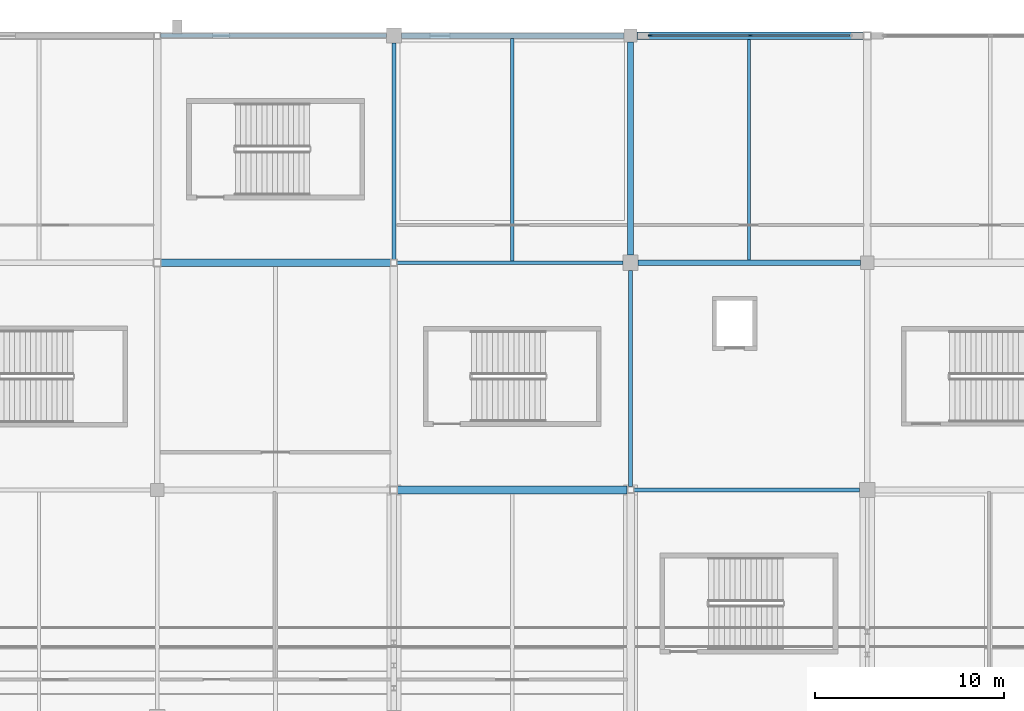
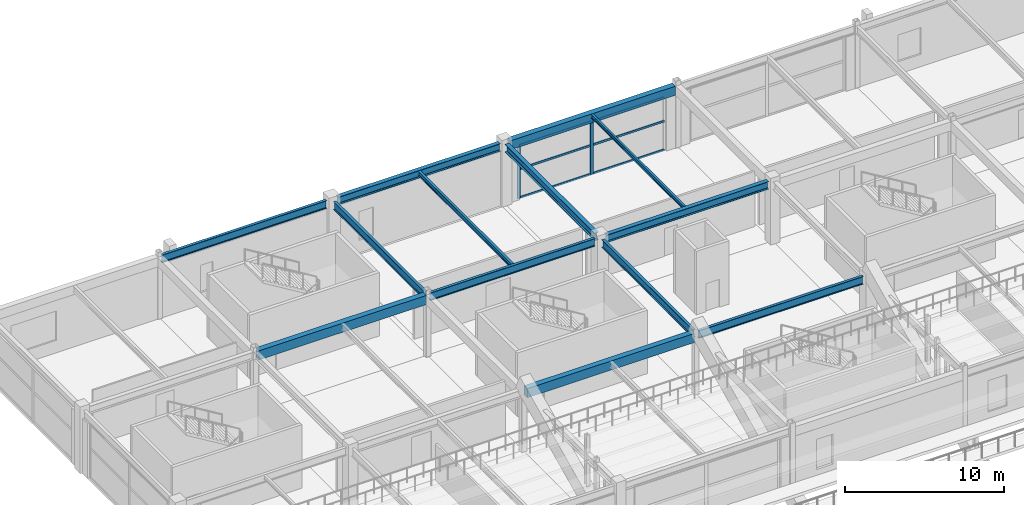
# One storey, part 64 of 128: 13 beams, 8 members, 1 element without a shape of its own.
"""IFC4 building model written with IfcOpenShell, lengths in metres."""

from ifc_helpers import new_model, si_unit, direction, frame, origin, origin_2d, place, context, subcontext, project, spatial, rectangle, i_section, extrude, material, layer, layer_set, material_profile, profile_set, type_object, element, aggregate, save


model = new_model("IFC4")

# Units and contexts
model_context = context("Model", 3, precision=1e-05, world=origin(), true_north=direction((0.0, 1.0)))
body_context = subcontext(model_context, "Body", "Model", "MODEL_VIEW")
ifc_project = project(units=[si_unit("LENGTHUNIT", "METRE"), si_unit("AREAUNIT", "SQUARE_METRE"), si_unit("VOLUMEUNIT", "CUBIC_METRE"), si_unit("PLANEANGLEUNIT", "RADIAN"), si_unit("MASSUNIT", "GRAM", prefix="KILO")], contexts=[model_context])

# Site, building, storey
site_placement = place(None, origin())
site = spatial("IfcSite", under=ifc_project, at=site_placement, CompositionType="ELEMENT")
building_placement = place(site_placement, origin())
building = spatial("IfcBuilding", under=site, at=building_placement, Name="Kazenohara Klinker Stadium", CompositionType="ELEMENT")
storey_placement = place(building_placement, frame((0.0, 0.0, 15.300048828125)))
storey = spatial("IfcBuildingStorey", under=building, at=storey_placement, Name="L03", CompositionType="ELEMENT", Elevation=15.300048828125)

# Beams
ifc_material_1 = material(Name="Steel S355", Category="steel")
ifc_material_profile_1 = material_profile(ifc_material_1, i_section(OverallWidth=0.175048828125, OverallDepth=0.35009765625, WebThickness=0.007080078125, FlangeThickness=0.010986328125, FilletRadius=0.012939453125, at=origin_2d()), Name="H-350x175x7x11")
ifc_profile_set_1 = profile_set([ifc_material_profile_1], Name="Steel S355")
beam_type_1 = type_object("IfcBeamType", Name="BM-JST04", PredefinedType="JOIST", material=ifc_profile_set_1)
beam_1_placement = place(storey_placement, frame((80.25, 156.10009765625, 4.5849609375), z_axis=(0.0, 1.0, 0.0), x_axis=(-1.0, 0.0, 0.0)))
element("IfcBeam", 1, at=beam_1_placement, inside=storey, type_object=beam_type_1, Name="Secondary floor joist SJ04 L03 7/P", PredefinedType="JOIST", context=body_context, shape_type="SweptSolid", body=[
    extrude(i_section(OverallWidth=0.175048828125, OverallDepth=0.35009765625, WebThickness=0.007080078125, FlangeThickness=0.010986328125, FilletRadius=0.012939453125, at=origin_2d()), origin(), (0.0, 0.0, 1.0), 11.75),
])
ifc_material_profile_2 = material_profile(ifc_material_1, i_section(OverallWidth=0.14990234375, OverallDepth=0.300048828125, WebThickness=0.006591796875, FlangeThickness=0.009033203125, FilletRadius=0.012939453125, at=origin_2d()), Name="H-300x150x6.5x9")
ifc_profile_set_2 = profile_set([ifc_material_profile_2], Name="Steel S355")
beam_type_2 = type_object("IfcBeamType", Name="BM-JST05", PredefinedType="JOIST", material=ifc_profile_set_2)
beam_2_placement = place(storey_placement, frame((92.75, 156.14990234375, 4.60986328125), z_axis=(0.0, 1.0, 0.0), x_axis=(-1.0, 0.0, 0.0)))
element("IfcBeam", 2, at=beam_2_placement, inside=storey, type_object=beam_type_2, Name="Secondary floor joist SJ05 L03 8/P", PredefinedType="JOIST", context=body_context, shape_type="SweptSolid", body=[
    extrude(i_section(OverallWidth=0.14990234375, OverallDepth=0.300048828125, WebThickness=0.006591796875, FlangeThickness=0.009033203125, FilletRadius=0.012939453125, at=origin_2d()), origin(), (0.0, 0.0, 1.0), 11.650146484375),
])
ifc_material_2 = material(Name="Concrete C40/50", Category="concrete")
ifc_material_profile_3 = material_profile(ifc_material_2, rectangle(XDim=0.39990234375, YDim=0.699951171875, at=origin_2d()), Name="RC-BM-400x700")
ifc_profile_set_3 = profile_set([ifc_material_profile_3], Name="Concrete C40/50")
beam_type_3 = type_object("IfcBeamType", Name="BM-RC04", PredefinedType="BEAM", material=ifc_profile_set_3)
for number, where, z_axis, x_axis, name in (
    (3, (61.699951171875, 156.0, 4.409912109375), (1.0, 0.0, 0.0), (0.0, 1.0, 0.0), "Primary girder BG04 L03 6-7/P"),
    (4, (74.199951171875, 144.0, 4.409912109375), (1.0, 0.0, 0.0), (0.0, 1.0, 0.0), "Primary girder BG04 L03 7-8/N"),
):
    element("IfcBeam", number, at=place(storey_placement, frame(where, z_axis=z_axis, x_axis=x_axis)), inside=storey, type_object=beam_type_3, Name=name, PredefinedType="BEAM", context=body_context, shape_type="SweptSolid", body=[
        extrude(rectangle(XDim=0.39990234375, YDim=0.699951171875, at=origin_2d()), origin(), (0.0, 0.0, 1.0), 12.125),
    ])
beam_3_placement = place(storey_placement, frame((86.85009765625, 168.0, 4.409912109375), z_axis=(1.0, 0.0, 0.0), x_axis=(0.0, 1.0, 0.0)))
element("IfcBeam", 5, at=beam_3_placement, inside=storey, type_object=beam_type_3, Name="Primary girder BG04 L03 8-9/Q", PredefinedType="BEAM", context=body_context, shape_type="SweptSolid", body=[
    extrude(rectangle(XDim=0.39990234375, YDim=0.699951171875, at=origin_2d()), origin(), (0.0, 0.0, 1.0), 11.949951171875),
])
ifc_material_profile_4 = material_profile(ifc_material_1, i_section(OverallWidth=0.199951171875, OverallDepth=0.60009765625, WebThickness=0.010986328125, FlangeThickness=0.01708984375, FilletRadius=0.012939453125, at=origin_2d()), Name="H-600x200x11x17")
ifc_profile_set_4 = profile_set([ifc_material_profile_4], Name="Steel S355")
beam_type_4 = type_object("IfcBeamType", Name="BM-ST04", PredefinedType="BEAM", material=ifc_profile_set_4)
for number, where, z_axis, x_axis, name in (
    (6, (61.675048828125, 168.0, 4.4599609375), (1.0, 0.0, 0.0), (0.0, 1.0, 0.0), "Primary girder SB04 L03 6-7/Q"),
    (7, (74.175048828125, 156.0, 4.4599609375), (1.0, 0.0, 0.0), (0.0, 1.0, 0.0), "Primary girder SB04 L03 7-8/P"),
    (8, (86.675048828125, 144.0, 4.4599609375), (1.0, 0.0, 0.0), (0.0, 1.0, 0.0), "Primary girder SB04 L03 8-9/N"),
):
    element("IfcBeam", number, at=place(storey_placement, frame(where, z_axis=z_axis, x_axis=x_axis)), inside=storey, type_object=beam_type_4, Name=name, PredefinedType="BEAM", context=body_context, shape_type="SweptSolid", body=[
        extrude(i_section(OverallWidth=0.199951171875, OverallDepth=0.60009765625, WebThickness=0.010986328125, FlangeThickness=0.01708984375, FilletRadius=0.012939453125, at=origin_2d()), origin(), (0.0, 0.0, 1.0), 11.925048828125),
    ])
for number, where, z_axis, x_axis, name in (
    (9, (74.0, 156.175048828125, 4.4599609375), (0.0, 1.0, 0.0), (-1.0, 0.0, 0.0), "Primary girder SB04 L03 7/P-Q"),
    (10, (86.5, 144.175048828125, 4.4599609375), (0.0, 1.0, 0.0), (-1.0, 0.0, 0.0), "Primary girder SB04 L03 8/N-P"),
):
    element("IfcBeam", number, at=place(storey_placement, frame(where, z_axis=z_axis, x_axis=x_axis)), inside=storey, type_object=beam_type_4, Name=name, PredefinedType="BEAM", context=body_context, shape_type="SweptSolid", body=[
        extrude(i_section(OverallWidth=0.199951171875, OverallDepth=0.60009765625, WebThickness=0.010986328125, FlangeThickness=0.01708984375, FilletRadius=0.012939453125, at=origin_2d()), origin(), (0.0, 0.0, 1.0), 11.425048828125),
    ])
ifc_material_profile_5 = material_profile(ifc_material_1, i_section(OverallWidth=0.300048828125, OverallDepth=0.587890625, WebThickness=0.011962890625, FlangeThickness=0.02001953125, FilletRadius=0.02197265625, at=origin_2d()), Name="H-588x300x12x20")
ifc_profile_set_5 = profile_set([ifc_material_profile_5], Name="Steel S355")
beam_type_5 = type_object("IfcBeamType", Name="BM-ST05", PredefinedType="BEAM", material=ifc_profile_set_5)
for number, where, z_axis, x_axis, name in (
    (11, (74.39990234375, 168.0, 4.466064453125), (1.0, 0.0, 0.0), (0.0, 1.0, 0.0), "Primary girder SB05 L03 7-8/Q"),
    (12, (86.89990234375, 156.0, 4.466064453125), (1.0, 0.0, 0.0), (0.0, 1.0, 0.0), "Primary girder SB05 L03 8-9/P"),
):
    element("IfcBeam", number, at=place(storey_placement, frame(where, z_axis=z_axis, x_axis=x_axis)), inside=storey, type_object=beam_type_5, Name=name, PredefinedType="BEAM", context=body_context, shape_type="SweptSolid", body=[
        extrude(i_section(OverallWidth=0.300048828125, OverallDepth=0.587890625, WebThickness=0.011962890625, FlangeThickness=0.02001953125, FilletRadius=0.02197265625, at=origin_2d()), origin(), (0.0, 0.0, 1.0), 11.75),
    ])
beam_4_placement = place(storey_placement, frame((86.5, 156.39990234375, 4.466064453125), z_axis=(0.0, 1.0, 0.0), x_axis=(-1.0, 0.0, 0.0)))
element("IfcBeam", 13, at=beam_4_placement, inside=storey, type_object=beam_type_5, Name="Primary girder SB05 L03 8/P-Q", PredefinedType="BEAM", context=body_context, shape_type="SweptSolid", body=[
    extrude(i_section(OverallWidth=0.300048828125, OverallDepth=0.587890625, WebThickness=0.011962890625, FlangeThickness=0.02001953125, FilletRadius=0.02197265625, at=origin_2d()), origin(), (0.0, 0.0, 1.0), 11.25),
])

# Curtain wall, members
ifc_material_3 = material(Name="Anodised aluminium and triple glazing", Category="aluminium")
ifc_layer = layer(ifc_material_3, 0.179931640625)
ifc_layer_set = layer_set([ifc_layer], Name="Anodised aluminium and triple glazing")
curtain_wall_type = type_object("IfcCurtainWallType", Name="CW-SYS-02", PredefinedType="USERDEFINED", material=ifc_layer_set)
curtain_wall_placement = place(storey_placement, origin())
curtain_wall = element("IfcCurtainWall", 14, at=curtain_wall_placement, inside=storey, type_object=curtain_wall_type, Name="Unitised facade curtain wall CW02 L03 X7-14", ObjectType="UNITISED CURTAIN WALL", PredefinedType="USERDEFINED")
ifc_material_4 = material(Name="Anodised aluminium 6063-T6", Category="aluminium")
ifc_material_profile_6 = material_profile(ifc_material_4, rectangle(XDim=0.074951171875, YDim=0.219970703125, at=origin_2d()), Name="ALU-MUL-75x220")
ifc_profile_set_6 = profile_set([ifc_material_profile_6], Name="Anodised aluminium 6063-T6")
member_type_1 = type_object("IfcMemberType", Name="CW-MUL-220", PredefinedType="MULLION", material=ifc_profile_set_6)
member_1_placement = place(storey_placement, frame((87.54150390625, 168.0, 0.0), z_axis=(0.0, 0.0, 1.0), x_axis=(0.0, 1.0, 0.0)))
member_1 = element("IfcMember", 15, at=member_1_placement, type_object=member_type_1, Name="CW02 mullion 1", PredefinedType="MULLION", context=body_context, shape_type="SweptSolid", body=[
    extrude(rectangle(XDim=0.074951171875, YDim=0.219970703125, at=origin_2d()), origin(), (0.0, 0.0, 1.0), 4.06005859375),
])
member_2_placement = place(storey_placement, frame((92.824951171875, 168.0, 0.0), z_axis=(0.0, 0.0, 1.0), x_axis=(0.0, 1.0, 0.0)))
member_2 = element("IfcMember", 16, at=member_2_placement, type_object=member_type_1, Name="CW02 mullion 2", PredefinedType="MULLION", context=body_context, shape_type="SweptSolid", body=[
    extrude(rectangle(XDim=0.074951171875, YDim=0.219970703125, at=origin_2d()), origin(), (0.0, 0.0, 1.0), 4.06005859375),
])
ifc_material_profile_7 = material_profile(ifc_material_4, rectangle(XDim=0.074951171875, YDim=0.159912109375, at=origin_2d()), Name="ALU-TRN-75x160")
ifc_profile_set_7 = profile_set([ifc_material_profile_7], Name="Anodised aluminium 6063-T6")
member_type_2 = type_object("IfcMemberType", Name="CW-TRN-160", PredefinedType="USERDEFINED", material=ifc_profile_set_7)
member_3_placement = place(storey_placement, frame((87.5791015625, 168.0, 0.037353515625), z_axis=(1.0, 0.0, 0.0), x_axis=(0.0, 1.0, 0.0)))
member_3 = element("IfcMember", 17, at=member_3_placement, type_object=member_type_2, Name="CW02 transom 1.1", ObjectType="TRANSOM", PredefinedType="USERDEFINED", context=body_context, shape_type="SweptSolid", body=[
    extrude(rectangle(XDim=0.074951171875, YDim=0.159912109375, at=origin_2d()), origin(), (0.0, 0.0, 1.0), 5.20849609375),
])
member_4_placement = place(storey_placement, frame((87.5791015625, 168.0, 2.23291015625), z_axis=(1.0, 0.0, 0.0), x_axis=(0.0, 1.0, 0.0)))
member_4 = element("IfcMember", 18, at=member_4_placement, type_object=member_type_2, Name="CW02 transom 1.2", ObjectType="TRANSOM", PredefinedType="USERDEFINED", context=body_context, shape_type="SweptSolid", body=[
    extrude(rectangle(XDim=0.074951171875, YDim=0.159912109375, at=origin_2d()), origin(), (0.0, 0.0, 1.0), 5.20849609375),
])
member_5_placement = place(storey_placement, frame((87.5791015625, 168.0, 4.0224609375), z_axis=(1.0, 0.0, 0.0), x_axis=(0.0, 1.0, 0.0)))
member_5 = element("IfcMember", 19, at=member_5_placement, type_object=member_type_2, Name="CW02 transom 1.3", ObjectType="TRANSOM", PredefinedType="USERDEFINED", context=body_context, shape_type="SweptSolid", body=[
    extrude(rectangle(XDim=0.074951171875, YDim=0.159912109375, at=origin_2d()), origin(), (0.0, 0.0, 1.0), 5.20849609375),
])
member_6_placement = place(storey_placement, frame((92.862548828125, 168.0, 0.037353515625), z_axis=(1.0, 0.0, 0.0), x_axis=(0.0, 1.0, 0.0)))
member_6 = element("IfcMember", 20, at=member_6_placement, type_object=member_type_2, Name="CW02 transom 2.1", ObjectType="TRANSOM", PredefinedType="USERDEFINED", context=body_context, shape_type="SweptSolid", body=[
    extrude(rectangle(XDim=0.074951171875, YDim=0.159912109375, at=origin_2d()), origin(), (0.0, 0.0, 1.0), 5.20849609375),
])
member_7_placement = place(storey_placement, frame((92.862548828125, 168.0, 2.23291015625), z_axis=(1.0, 0.0, 0.0), x_axis=(0.0, 1.0, 0.0)))
member_7 = element("IfcMember", 21, at=member_7_placement, type_object=member_type_2, Name="CW02 transom 2.2", ObjectType="TRANSOM", PredefinedType="USERDEFINED", context=body_context, shape_type="SweptSolid", body=[
    extrude(rectangle(XDim=0.074951171875, YDim=0.159912109375, at=origin_2d()), origin(), (0.0, 0.0, 1.0), 5.20849609375),
])
member_8_placement = place(storey_placement, frame((92.862548828125, 168.0, 4.0224609375), z_axis=(1.0, 0.0, 0.0), x_axis=(0.0, 1.0, 0.0)))
member_8 = element("IfcMember", 22, at=member_8_placement, type_object=member_type_2, Name="CW02 transom 2.3", ObjectType="TRANSOM", PredefinedType="USERDEFINED", context=body_context, shape_type="SweptSolid", body=[
    extrude(rectangle(XDim=0.074951171875, YDim=0.159912109375, at=origin_2d()), origin(), (0.0, 0.0, 1.0), 5.20849609375),
])
aggregate(curtain_wall, [member_1, member_2, member_3, member_4, member_5, member_6, member_7, member_8])

save(model, "model.ifc")
